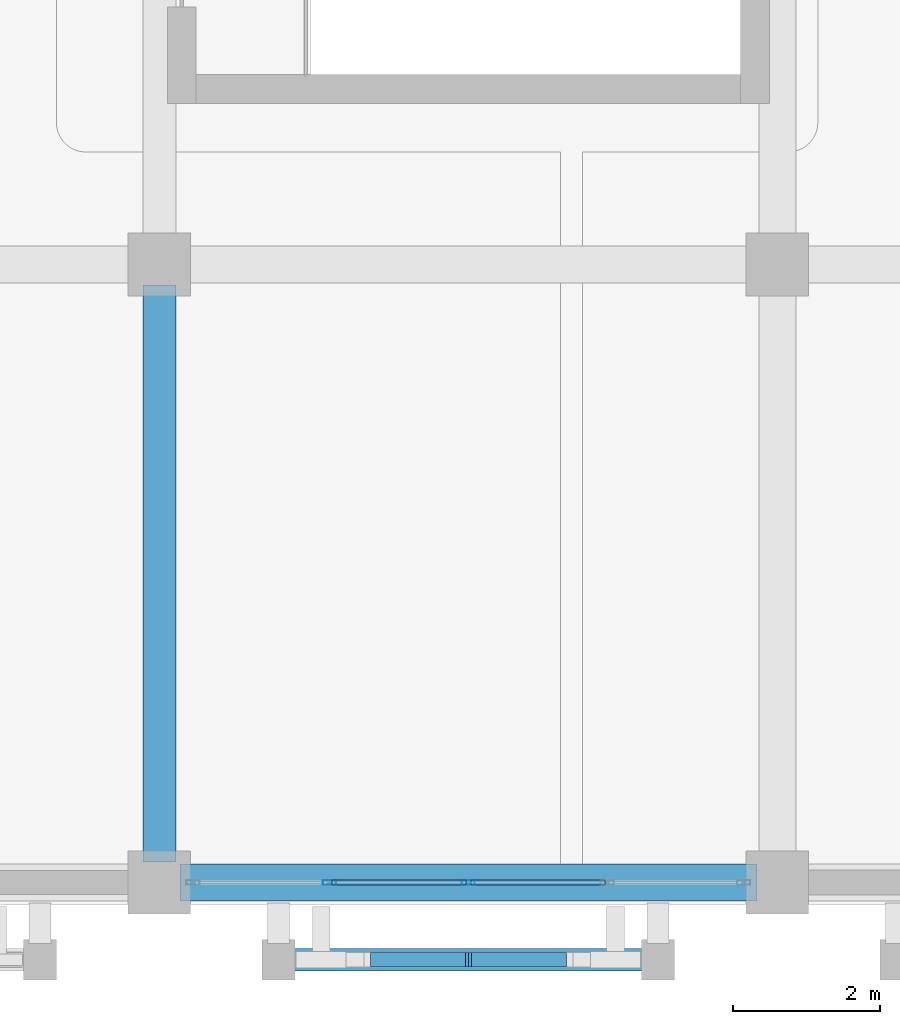
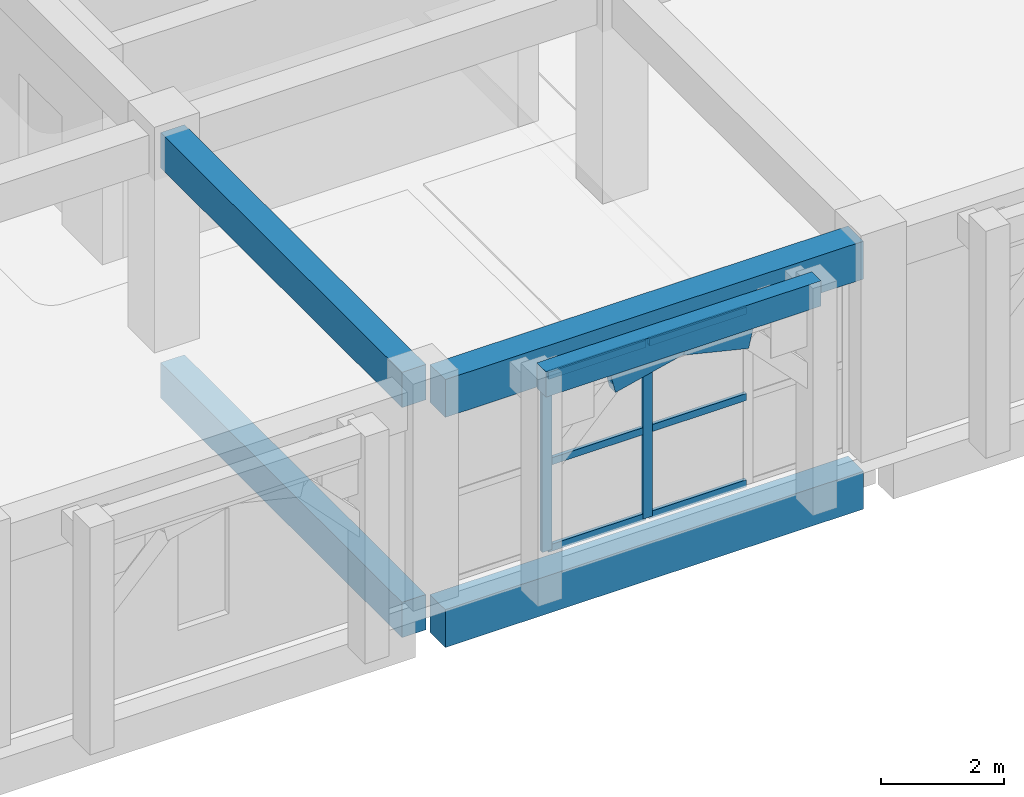
# One storey, part 6 of 129: 10 members, 5 beams, 1 element without a shape of its own.
"""IFC4 building model written with IfcOpenShell, lengths in metres."""

from ifc_helpers import new_model, si_unit, direction, frame, origin, origin_2d, place, context, subcontext, project, spatial, rectangle, hollow_rectangle, extrude, material, layer, layer_set, material_profile, profile_set, type_object, element, aggregate, save


model = new_model("IFC4")

# Units and contexts
model_context = context("Model", 3, precision=1e-05, world=origin(), true_north=direction((0.0, 1.0)))
body_context = subcontext(model_context, "Body", "Model", "MODEL_VIEW")
ifc_project = project(units=[si_unit("LENGTHUNIT", "METRE"), si_unit("AREAUNIT", "SQUARE_METRE"), si_unit("VOLUMEUNIT", "CUBIC_METRE"), si_unit("PLANEANGLEUNIT", "RADIAN"), si_unit("MASSUNIT", "GRAM", prefix="KILO")], contexts=[model_context])

# Site, building, storey
site_placement = place(None, origin())
site = spatial("IfcSite", under=ifc_project, at=site_placement, CompositionType="ELEMENT")
building_placement = place(site_placement, origin())
building = spatial("IfcBuilding", under=site, at=building_placement, Name="Xazarin Passage Department Store", CompositionType="ELEMENT")
storey_placement = place(building_placement, frame((0.0, 0.0, 9.89990234375)))
storey = spatial("IfcBuildingStorey", under=building, at=storey_placement, Name="L02", CompositionType="ELEMENT", Elevation=9.89990234375)

# Curtain wall, members
ifc_material_1 = material(Name="Bronze anodised aluminium", Category="aluminium")
ifc_layer = layer(ifc_material_1, 0.18994140625)
ifc_layer_set = layer_set([ifc_layer], Name="Bronze anodised aluminium")
curtain_wall_type = type_object("IfcCurtainWallType", Name="ARC-CW-FDH1", PredefinedType="NOTDEFINED", material=ifc_layer_set)
curtain_wall_placement = place(storey_placement, origin())
curtain_wall = element("IfcCurtainWall", 1, at=curtain_wall_placement, inside=storey, type_object=curtain_wall_type, Name="L02 V3 Curtain Wall 131", PredefinedType="NOTDEFINED")
ifc_material_profile_1 = material_profile(ifc_material_1, hollow_rectangle(XDim=0.06494140625, YDim=0.179931640625, WallThickness=0.00390625, at=origin_2d()), Name="ALU 65x180")
ifc_profile_set_1 = profile_set([ifc_material_profile_1], Name="Bronze anodised aluminium")
member_type_1 = type_object("IfcMemberType", Name="ARC-CWM-65x180", PredefinedType="MULLION", material=ifc_profile_set_1)
member_1_placement = place(storey_placement, frame((27.512451171875, 0.0, 0.0), z_axis=(0.0, 0.0, 1.0), x_axis=(0.0, 1.0, 0.0)))
member_1 = element("IfcMember", 2, at=member_1_placement, type_object=member_type_1, Name="CW5 mullion 2", PredefinedType="MULLION", context=body_context, shape_type="SweptSolid", body=[
    extrude(hollow_rectangle(XDim=0.06494140625, YDim=0.179931640625, WallThickness=0.00390625, at=origin_2d()), origin(), (0.0, 0.0, 1.0), 3.489990234375),
])
member_2_placement = place(storey_placement, frame((29.39990234375, 0.0, 0.0), z_axis=(0.0, 0.0, 1.0), x_axis=(0.0, 1.0, 0.0)))
member_2 = element("IfcMember", 3, at=member_2_placement, type_object=member_type_1, Name="CW5 mullion 3", PredefinedType="MULLION", context=body_context, shape_type="SweptSolid", body=[
    extrude(hollow_rectangle(XDim=0.06494140625, YDim=0.179931640625, WallThickness=0.00390625, at=origin_2d()), origin(), (0.0, 0.0, 1.0), 3.489990234375),
])
ifc_material_profile_2 = material_profile(ifc_material_1, hollow_rectangle(XDim=0.06494140625, YDim=0.139892578125, WallThickness=0.00390625, at=origin_2d()), Name="ALU 65x140")
ifc_profile_set_2 = profile_set([ifc_material_profile_2], Name="Bronze anodised aluminium")
member_type_2 = type_object("IfcMemberType", Name="ARC-CWT-65x140", PredefinedType="USERDEFINED", material=ifc_profile_set_2)
member_3_placement = place(storey_placement, frame((27.544921875, 0.0, 0.03271484375), z_axis=(1.0, 0.0, 0.0), x_axis=(0.0, 1.0, 0.0)))
member_3 = element("IfcMember", 4, at=member_3_placement, type_object=member_type_2, Name="CW5 transom 2.1", ObjectType="TRANSOM", PredefinedType="USERDEFINED", context=body_context, shape_type="SweptSolid", body=[
    extrude(hollow_rectangle(XDim=0.06494140625, YDim=0.139892578125, WallThickness=0.00390625, at=origin_2d()), origin(), (0.0, 0.0, 1.0), 1.822509765625),
])
member_4_placement = place(storey_placement, frame((27.544921875, 0.0, 1.7451171875), z_axis=(1.0, 0.0, 0.0), x_axis=(0.0, 1.0, 0.0)))
member_4 = element("IfcMember", 5, at=member_4_placement, type_object=member_type_2, Name="CW5 transom 2.2", ObjectType="TRANSOM", PredefinedType="USERDEFINED", context=body_context, shape_type="SweptSolid", body=[
    extrude(hollow_rectangle(XDim=0.06494140625, YDim=0.139892578125, WallThickness=0.00390625, at=origin_2d()), origin(), (0.0, 0.0, 1.0), 1.822509765625),
])
member_5_placement = place(storey_placement, frame((27.544921875, 0.0, 3.45751953125), z_axis=(1.0, 0.0, 0.0), x_axis=(0.0, 1.0, 0.0)))
member_5 = element("IfcMember", 6, at=member_5_placement, type_object=member_type_2, Name="CW5 transom 2.3", ObjectType="TRANSOM", PredefinedType="USERDEFINED", context=body_context, shape_type="SweptSolid", body=[
    extrude(hollow_rectangle(XDim=0.06494140625, YDim=0.139892578125, WallThickness=0.00390625, at=origin_2d()), origin(), (0.0, 0.0, 1.0), 1.822509765625),
])
member_6_placement = place(storey_placement, frame((29.4326171875, 0.0, 0.03271484375), z_axis=(1.0, 0.0, 0.0), x_axis=(0.0, 1.0, 0.0)))
member_6 = element("IfcMember", 7, at=member_6_placement, type_object=member_type_2, Name="CW5 transom 3.1", ObjectType="TRANSOM", PredefinedType="USERDEFINED", context=body_context, shape_type="SweptSolid", body=[
    extrude(hollow_rectangle(XDim=0.06494140625, YDim=0.139892578125, WallThickness=0.00390625, at=origin_2d()), origin(), (0.0, 0.0, 1.0), 1.822265625),
])
member_7_placement = place(storey_placement, frame((29.4326171875, 0.0, 1.7451171875), z_axis=(1.0, 0.0, 0.0), x_axis=(0.0, 1.0, 0.0)))
member_7 = element("IfcMember", 8, at=member_7_placement, type_object=member_type_2, Name="CW5 transom 3.2", ObjectType="TRANSOM", PredefinedType="USERDEFINED", context=body_context, shape_type="SweptSolid", body=[
    extrude(hollow_rectangle(XDim=0.06494140625, YDim=0.139892578125, WallThickness=0.00390625, at=origin_2d()), origin(), (0.0, 0.0, 1.0), 1.822265625),
])
member_8_placement = place(storey_placement, frame((29.4326171875, 0.0, 3.45751953125), z_axis=(1.0, 0.0, 0.0), x_axis=(0.0, 1.0, 0.0)))
member_8 = element("IfcMember", 9, at=member_8_placement, type_object=member_type_2, Name="CW5 transom 3.3", ObjectType="TRANSOM", PredefinedType="USERDEFINED", context=body_context, shape_type="SweptSolid", body=[
    extrude(hollow_rectangle(XDim=0.06494140625, YDim=0.139892578125, WallThickness=0.00390625, at=origin_2d()), origin(), (0.0, 0.0, 1.0), 1.822265625),
])
aggregate(curtain_wall, [member_1, member_2, member_3, member_4, member_5, member_6, member_7, member_8])

# Beams
ifc_material_2 = material(Name="Concrete C35/45", Category="concrete")
ifc_material_profile_3 = material_profile(ifc_material_2, rectangle(XDim=0.449951171875, YDim=0.699951171875, at=origin_2d()), Name="RC 450x700")
ifc_profile_set_3 = profile_set([ifc_material_profile_3], Name="Concrete C35/45")
beam_type_1 = type_object("IfcBeamType", Name="STR-BM-G450x700", PredefinedType="BEAM", material=ifc_profile_set_3)
for number, where, z_axis, x_axis, name in (
    (10, (25.199951171875, 0.280029296875, -0.669921875), (0.0, 1.0, 0.0), (-1.0, 0.0, 0.0), "L02 Grid Beam 4/A-B"),
    (11, (25.199951171875, 0.280029296875, 3.89013671875), (0.0, 1.0, 0.0), (-1.0, 0.0, 0.0), "L02 Grid Beam 4/A-B"),
):
    element("IfcBeam", number, at=place(storey_placement, frame(where, z_axis=z_axis, x_axis=x_axis)), inside=storey, type_object=beam_type_1, Name=name, PredefinedType="BEAM", context=body_context, shape_type="SweptSolid", body=[
        extrude(rectangle(XDim=0.449951171875, YDim=0.699951171875, at=origin_2d()), origin(), (0.0, 0.0, 1.0), 7.840087890625),
    ])
ifc_material_profile_4 = material_profile(ifc_material_2, rectangle(XDim=0.300048828125, YDim=0.5, at=origin_2d()), Name="RC 300x500")
ifc_profile_set_4 = profile_set([ifc_material_profile_4], Name="Concrete C35/45")
beam_type_2 = type_object("IfcBeamType", Name="STR-BM-LN300x500", PredefinedType="LINTEL", material=ifc_profile_set_4)
beam_placement = place(storey_placement, frame((26.820068359375, -1.050048828125, 4.25), z_axis=(1.0, 0.0, 0.0), x_axis=(0.0, 1.0, 0.0)))
element("IfcBeam", 12, at=beam_placement, inside=storey, type_object=beam_type_2, Name="L02 V3 Colonnade Spandrel Beam 029", PredefinedType="LINTEL", context=body_context, shape_type="SweptSolid", body=[
    extrude(rectangle(XDim=0.300048828125, YDim=0.5, at=origin_2d()), origin(), (0.0, 0.0, 1.0), 5.159912109375),
])
ifc_material_profile_5 = material_profile(ifc_material_2, rectangle(XDim=0.5, YDim=0.75, at=origin_2d()), Name="RC 500x750")
ifc_profile_set_5 = profile_set([ifc_material_profile_5], Name="Concrete C35/45")
beam_type_3 = type_object("IfcBeamType", Name="STR-BM-SP500x750", PredefinedType="SPANDREL", material=ifc_profile_set_5)
for number, where, z_axis, x_axis, name in (
    (13, (25.47998046875, 0.0, -0.69482421875), (1.0, 0.0, 0.0), (0.0, 1.0, 0.0), "L02 Grid Beam A/4-5"),
    (14, (25.47998046875, 0.0, 3.864990234375), (1.0, 0.0, 0.0), (0.0, 1.0, 0.0), "L02 Grid Beam A/4-5"),
):
    element("IfcBeam", number, at=place(storey_placement, frame(where, z_axis=z_axis, x_axis=x_axis)), inside=storey, type_object=beam_type_3, Name=name, PredefinedType="SPANDREL", context=body_context, shape_type="SweptSolid", body=[
        extrude(rectangle(XDim=0.5, YDim=0.75, at=origin_2d()), origin(), (0.0, 0.0, 1.0), 7.840087890625),
    ])

# Members
ifc_material_3 = material(Name="Concrete C40/50", Category="concrete")
ifc_material_profile_6 = material_profile(ifc_material_3, rectangle(XDim=0.199951171875, YDim=0.360107421875, at=origin_2d()), Name="RC 200x360")
ifc_profile_set_6 = profile_set([ifc_material_profile_6], Name="Concrete C40/50")
member_type_3 = type_object("IfcMemberType", Name="STR-MEM-ARC360", PredefinedType="CHORD", material=ifc_profile_set_6)
member_9_placement = place(storey_placement, frame((28.110107421875, -1.050048828125, 3.7705078125), z_axis=(0.972383960415, 0.0, 0.233386875224), x_axis=(0.0, 1.0, 0.0)))
element("IfcMember", 15, at=member_9_placement, inside=storey, type_object=member_type_3, Name="L02 V3 Pierced Lattice Curved Arch 029.2", PredefinedType="CHORD", context=body_context, shape_type="SweptSolid", body=[
    extrude(rectangle(XDim=0.199951171875, YDim=0.360107421875, at=origin_2d()), origin(), (0.0, 0.0, 1.0), 1.326416015625),
])
member_10_placement = place(storey_placement, frame((29.39990234375, -1.050048828125, 4.080078125), z_axis=(0.972393983317, 0.0, -0.233345111818), x_axis=(0.0, 1.0, 0.0)))
element("IfcMember", 16, at=member_10_placement, inside=storey, type_object=member_type_3, Name="L02 V3 Pierced Lattice Curved Arch 029.3", PredefinedType="CHORD", context=body_context, shape_type="SweptSolid", body=[
    extrude(rectangle(XDim=0.199951171875, YDim=0.360107421875, at=origin_2d()), origin(), (0.0, 0.0, 1.0), 1.32666015625),
])

save(model, "model.ifc")
